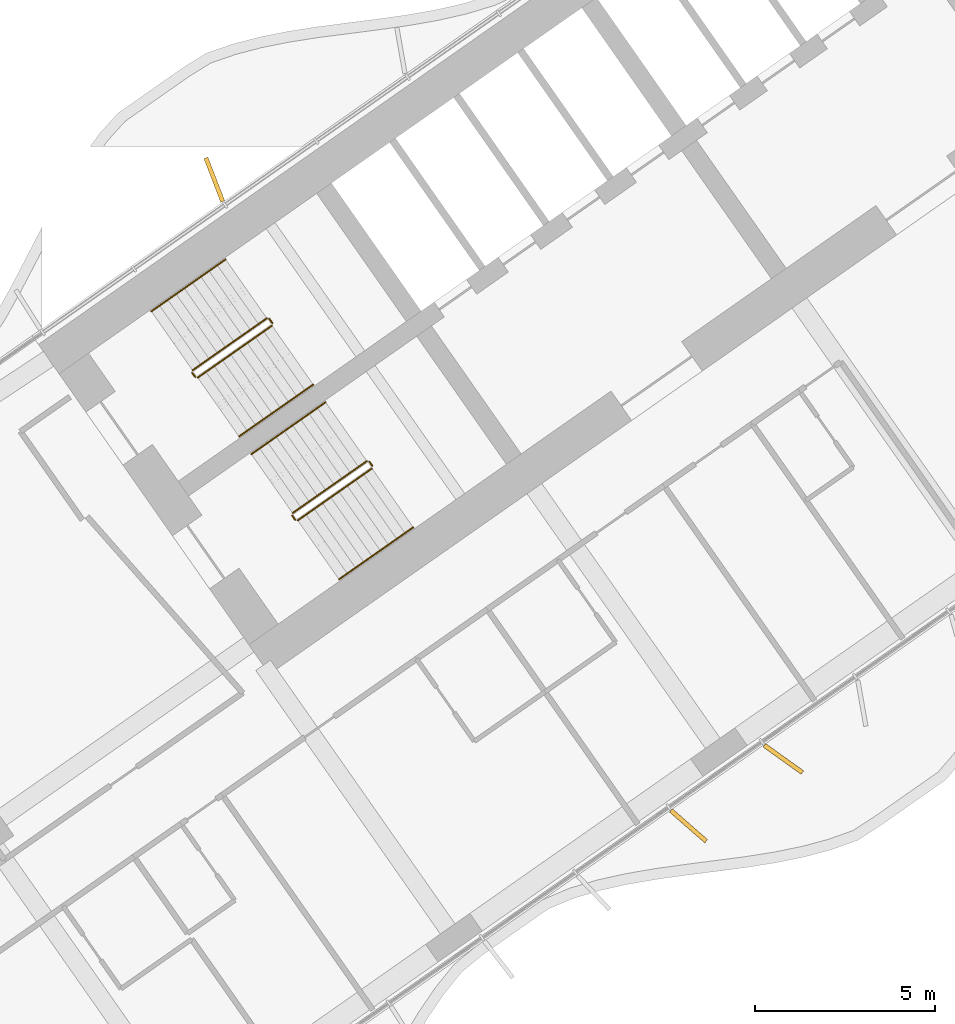
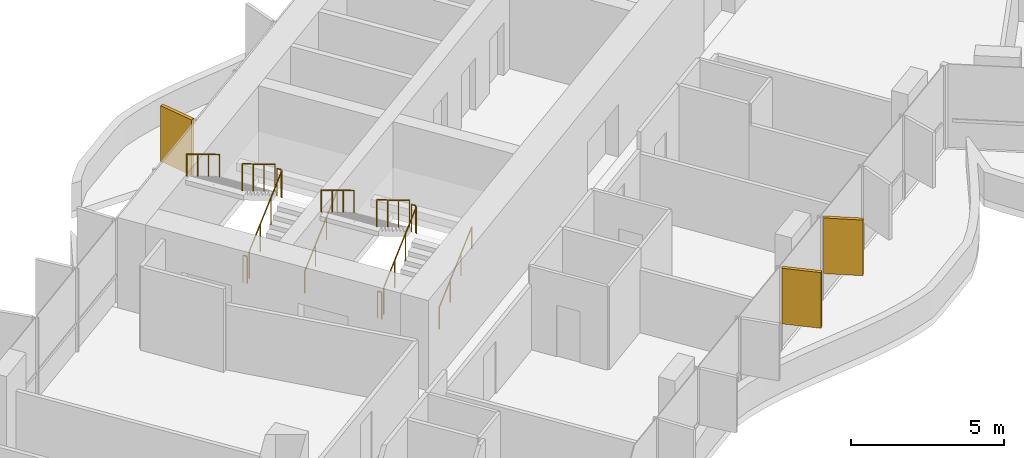
# One storey, part 20 of 25: 12 railings, 3 shading devices.
"""IFC4 building model written with IfcOpenShell, lengths in metres."""

from ifc_helpers import new_model, si_unit, direction, frame, origin, origin_2d, place, context, subcontext, project, spatial, rectangle, circle, extrude, material, layer, layer_set, type_object, element, save


model = new_model("IFC4")

# Units and contexts
model_context = context("Model", 3, precision=1e-05, world=origin(), true_north=direction((0.0, 1.0)))
body_context = subcontext(model_context, "Body", "Model", "MODEL_VIEW")
ifc_project = project(units=[si_unit("LENGTHUNIT", "METRE"), si_unit("AREAUNIT", "SQUARE_METRE"), si_unit("VOLUMEUNIT", "CUBIC_METRE"), si_unit("PLANEANGLEUNIT", "RADIAN"), si_unit("MASSUNIT", "GRAM", prefix="KILO")], contexts=[model_context])

# Site, building, storey
site_placement = place(None, origin())
site = spatial("IfcSite", under=ifc_project, at=site_placement, CompositionType="ELEMENT")
building_placement = place(site_placement, origin())
building = spatial("IfcBuilding", under=site, at=building_placement, Name="Tel Ilan Convention Tower", CompositionType="ELEMENT")
storey_placement = place(building_placement, frame((0.0, 0.0, 97.699951171875)))
storey = spatial("IfcBuildingStorey", under=building, at=storey_placement, Name="L20", CompositionType="ELEMENT", Elevation=97.699951171875)

# Shading devices
ifc_material_1 = material(Name="Aluminium, bronze anodised", Category="aluminium")
ifc_layer = layer(ifc_material_1, 0.1201171875)
ifc_layer_set = layer_set([ifc_layer], Name="FIN BRONZE 1300x120")
shading_device_type = type_object("IfcShadingDeviceType", Name="FIN BRONZE 1300x120", PredefinedType="USERDEFINED", material=ifc_layer_set)
for number, where, z_axis, x_axis, name in (
    (1, (-23.074462890625, -2.551513671875, 1.10009765625), (0.0, 0.0, 1.0), (-0.360177724803, 0.932883704733, 0.0), "FIN"),
    (2, (-9.882568359375, -20.525146484375, 1.10009765625), (0.0, 0.0, 1.0), (0.753435896329, -0.657521368568, 0.0), "FIN"),
    (3, (-7.2451171875, -18.663330078125, 1.10009765625), (0.0, 0.0, 1.0), (0.813552070258, -0.581492071294, 0.0), "FIN"),
):
    element("IfcShadingDevice", number, at=place(storey_placement, frame(where, z_axis=z_axis, x_axis=x_axis)), inside=storey, type_object=shading_device_type, Name=name, ObjectType="FIN", PredefinedType="USERDEFINED", context=body_context, shape_type="SweptSolid", body=[
        extrude(rectangle(XDim=1.300048828125, YDim=0.1201171875, at=origin_2d()), origin(), (0.0, 0.0, 1.0), 2.219970703125),
    ])

# Railings
ifc_material_2 = material(Name="Stainless Steel Grade 316", Category="steel")
railing_type_1 = type_object("IfcRailingType", Name="Stainless Steel Stair Guard 1100 mm", PredefinedType="GUARDRAIL", material=ifc_material_2)
railing_1_placement = place(storey_placement, frame((-23.535400390625, -8.056396484375, 0.179931640625)))
element("IfcRailing", 4, at=railing_1_placement, inside=storey, type_object=railing_type_1, Name="L20 S1 stair guard 1", PredefinedType="GUARDRAIL", context=body_context, shape_type="SweptSolid", body=[
    extrude(circle(Radius=0.02392578125, at=origin_2d()), frame((0.0, 0.0, 1.076171875), z_axis=(0.689013013563, 0.482512838948, 0.540779462804), x_axis=(-0.573624882958, 0.819118119475, 0.0)), (0.0, 0.0, 1.0), 2.995849609375),
    extrude(circle(Radius=0.02099609375, at=origin_2d()), origin(), (0.0, 0.0, 1.0), 1.052001953125),
    extrude(circle(Radius=0.02099609375, at=origin_2d()), frame((0.68798828125, 0.48193359375, 0.5400390625)), (0.0, 0.0, 1.0), 1.052001953125),
    extrude(circle(Radius=0.02099609375, at=origin_2d()), frame((1.376220703125, 0.963623046875, 1.080078125)), (0.0, 0.0, 1.0), 1.052001953125),
    extrude(circle(Radius=0.02099609375, at=origin_2d()), frame((2.064208984375, 1.445556640625, 1.6201171875)), (0.0, 0.0, 1.0), 1.052001953125),
])
railing_2_placement = place(storey_placement, frame((-21.458984375, -6.541259765625, 1.800048828125)))
element("IfcRailing", 5, at=railing_2_placement, inside=storey, type_object=railing_type_1, Name="L20 S1 stair guard 2", PredefinedType="GUARDRAIL", context=body_context, shape_type="SweptSolid", body=[
    extrude(circle(Radius=0.02392578125, at=origin_2d()), frame((0.0, 0.0, 1.076171875), z_axis=(-0.573353020881, 0.819308436089, 0.0), x_axis=(-0.819308436089, -0.573353020881, 0.0)), (0.0, 0.0, 1.0), 0.14990234375),
    extrude(circle(Radius=0.02099609375, at=origin_2d()), origin(), (0.0, 0.0, 1.0), 1.052001953125),
    extrude(circle(Radius=0.02099609375, at=origin_2d()), frame((-0.0859375, 0.122802734375, 0.0)), (0.0, 0.0, 1.0), 1.052001953125),
])
railing_3_placement = place(storey_placement, frame((-21.614501953125, -6.406005859375, 1.97998046875)))
element("IfcRailing", 6, at=railing_3_placement, inside=storey, type_object=railing_type_1, Name="L20 S1 stair guard 3", PredefinedType="GUARDRAIL", context=body_context, shape_type="SweptSolid", body=[
    extrude(circle(Radius=0.02392578125, at=origin_2d()), frame((0.0, 0.0, 1.076171875), z_axis=(-0.689013013563, -0.482512838948, 0.540779462804), x_axis=(0.573624882958, -0.819118119475, 0.0)), (0.0, 0.0, 1.0), 2.995849609375),
    extrude(circle(Radius=0.02099609375, at=origin_2d()), origin(), (0.0, 0.0, 1.0), 1.052001953125),
    extrude(circle(Radius=0.02099609375, at=origin_2d()), frame((-0.68798828125, -0.48193359375, 0.5400390625)), (0.0, 0.0, 1.0), 1.052001953125),
    extrude(circle(Radius=0.02099609375, at=origin_2d()), frame((-1.376220703125, -0.963623046875, 1.080078125)), (0.0, 0.0, 1.0), 1.052001953125),
    extrude(circle(Radius=0.02099609375, at=origin_2d()), frame((-2.064208984375, -1.445556640625, 1.6201171875)), (0.0, 0.0, 1.0), 1.052001953125),
])
railing_4_placement = place(storey_placement, frame((-23.60498046875, -8.0439453125, 0.0)))
element("IfcRailing", 7, at=railing_4_placement, inside=storey, type_object=railing_type_1, Name="L20 S1 stair guard 4", PredefinedType="GUARDRAIL", context=body_context, shape_type="SweptSolid", body=[
    extrude(circle(Radius=0.02392578125, at=origin_2d()), frame((0.0, 0.0, 1.076171875), z_axis=(-0.574444878118, 0.818543268254, 0.0), x_axis=(-0.818543268254, -0.574444878118, 0.0)), (0.0, 0.0, 1.0), 0.150146484375),
    extrude(circle(Radius=0.02099609375, at=origin_2d()), origin(), (0.0, 0.0, 1.0), 1.052001953125),
    extrude(circle(Radius=0.02099609375, at=origin_2d()), frame((-0.086181640625, 0.122802734375, 0.0)), (0.0, 0.0, 1.0), 1.052001953125),
])
railing_5_placement = place(storey_placement, frame((-20.753662109375, -12.029296875, 0.179931640625)))
element("IfcRailing", 8, at=railing_5_placement, inside=storey, type_object=railing_type_1, Name="L20 S2 stair guard 1", PredefinedType="GUARDRAIL", context=body_context, shape_type="SweptSolid", body=[
    extrude(circle(Radius=0.02392578125, at=origin_2d()), frame((0.0, 0.0, 1.076171875), z_axis=(0.689055814419, 0.482485747064, 0.540749099395), x_axis=(-0.573579365141, 0.81914999352, 0.0)), (0.0, 0.0, 1.0), 2.99609375),
    extrude(circle(Radius=0.02099609375, at=origin_2d()), origin(), (0.0, 0.0, 1.0), 1.052001953125),
    extrude(circle(Radius=0.02099609375, at=origin_2d()), frame((0.688232421875, 0.48193359375, 0.5400390625)), (0.0, 0.0, 1.0), 1.052001953125),
    extrude(circle(Radius=0.02099609375, at=origin_2d()), frame((1.376220703125, 0.963623046875, 1.080078125)), (0.0, 0.0, 1.0), 1.052001953125),
    extrude(circle(Radius=0.02099609375, at=origin_2d()), frame((2.064453125, 1.445556640625, 1.6201171875)), (0.0, 0.0, 1.0), 1.052001953125),
])
railing_6_placement = place(storey_placement, frame((-18.677001953125, -10.51416015625, 1.800048828125)))
element("IfcRailing", 9, at=railing_6_placement, inside=storey, type_object=railing_type_1, Name="L20 S2 stair guard 2", PredefinedType="GUARDRAIL", context=body_context, shape_type="SweptSolid", body=[
    extrude(circle(Radius=0.02392578125, at=origin_2d()), frame((0.0, 0.0, 1.076171875), z_axis=(-0.573353020881, 0.819308436089, 0.0), x_axis=(-0.819308436089, -0.573353020881, 0.0)), (0.0, 0.0, 1.0), 0.14990234375),
    extrude(circle(Radius=0.02099609375, at=origin_2d()), origin(), (0.0, 0.0, 1.0), 1.052001953125),
    extrude(circle(Radius=0.02099609375, at=origin_2d()), frame((-0.0859375, 0.122802734375, 0.0)), (0.0, 0.0, 1.0), 1.052001953125),
])
railing_7_placement = place(storey_placement, frame((-18.832763671875, -10.37890625, 1.97998046875)))
element("IfcRailing", 10, at=railing_7_placement, inside=storey, type_object=railing_type_1, Name="L20 S2 stair guard 3", PredefinedType="GUARDRAIL", context=body_context, shape_type="SweptSolid", body=[
    extrude(circle(Radius=0.02392578125, at=origin_2d()), frame((0.0, 0.0, 1.076171875), z_axis=(-0.689013013563, -0.482512838948, 0.540779462804), x_axis=(0.573624882958, -0.819118119475, 0.0)), (0.0, 0.0, 1.0), 2.995849609375),
    extrude(circle(Radius=0.02099609375, at=origin_2d()), origin(), (0.0, 0.0, 1.0), 1.052001953125),
    extrude(circle(Radius=0.02099609375, at=origin_2d()), frame((-0.68798828125, -0.48193359375, 0.5400390625)), (0.0, 0.0, 1.0), 1.052001953125),
    extrude(circle(Radius=0.02099609375, at=origin_2d()), frame((-1.376220703125, -0.963623046875, 1.080078125)), (0.0, 0.0, 1.0), 1.052001953125),
    extrude(circle(Radius=0.02099609375, at=origin_2d()), frame((-2.064208984375, -1.445556640625, 1.6201171875)), (0.0, 0.0, 1.0), 1.052001953125),
])
railing_8_placement = place(storey_placement, frame((-20.8232421875, -12.016845703125, 0.0)))
element("IfcRailing", 11, at=railing_8_placement, inside=storey, type_object=railing_type_1, Name="L20 S2 stair guard 4", PredefinedType="GUARDRAIL", context=body_context, shape_type="SweptSolid", body=[
    extrude(circle(Radius=0.02392578125, at=origin_2d()), frame((0.0, 0.0, 1.076171875), z_axis=(-0.573353020881, 0.819308436089, 0.0), x_axis=(-0.819308436089, -0.573353020881, 0.0)), (0.0, 0.0, 1.0), 0.14990234375),
    extrude(circle(Radius=0.02099609375, at=origin_2d()), origin(), (0.0, 0.0, 1.0), 1.052001953125),
    extrude(circle(Radius=0.02099609375, at=origin_2d()), frame((-0.0859375, 0.122802734375, 0.0)), (0.0, 0.0, 1.0), 1.052001953125),
])
ifc_material_3 = material(Name="Stainless Steel Grade 316", Category="steel")
railing_type_2 = type_object("IfcRailingType", Name="Stainless Steel Stair Handrail 900 mm", PredefinedType="HANDRAIL", material=ifc_material_3)
railing_9_placement = place(storey_placement, frame((-22.38818359375, -9.694580078125, 0.179931640625)))
element("IfcRailing", 12, at=railing_9_placement, inside=storey, type_object=railing_type_2, Name="L20 S1 stair handrail 1", PredefinedType="HANDRAIL", context=body_context, shape_type="SweptSolid", body=[
    extrude(circle(Radius=0.02392578125, at=origin_2d()), frame((0.0, 0.0, 0.8759765625), z_axis=(0.689040105437, 0.482450316285, 0.54080072616), x_axis=(-0.573559875649, 0.819163639968, 0.0)), (0.0, 0.0, 1.0), 2.995849609375),
    extrude(circle(Radius=0.02099609375, at=origin_2d()), origin(), (0.0, 0.0, 1.0), 0.851806640625),
    extrude(circle(Radius=0.02099609375, at=origin_2d()), frame((0.68798828125, 0.481689453125, 0.5400390625)), (0.0, 0.0, 1.0), 0.851806640625),
    extrude(circle(Radius=0.02099609375, at=origin_2d()), frame((1.376220703125, 0.963623046875, 1.080078125)), (0.0, 0.0, 1.0), 0.851806640625),
    extrude(circle(Radius=0.02099609375, at=origin_2d()), frame((2.064208984375, 1.4453125, 1.6201171875)), (0.0, 0.0, 1.0), 0.851806640625),
])
railing_10_placement = place(storey_placement, frame((-22.76171875, -4.767822265625, 1.97998046875)))
element("IfcRailing", 13, at=railing_10_placement, inside=storey, type_object=railing_type_2, Name="L20 S1 stair handrail 2", PredefinedType="HANDRAIL", context=body_context, shape_type="SweptSolid", body=[
    extrude(circle(Radius=0.02392578125, at=origin_2d()), frame((0.0, 0.0, 0.8759765625), z_axis=(-0.689040105437, -0.482450316285, 0.54080072616), x_axis=(0.573559875649, -0.819163639968, 0.0)), (0.0, 0.0, 1.0), 2.995849609375),
    extrude(circle(Radius=0.02099609375, at=origin_2d()), origin(), (0.0, 0.0, 1.0), 0.851806640625),
    extrude(circle(Radius=0.02099609375, at=origin_2d()), frame((-0.68798828125, -0.481689453125, 0.5400390625)), (0.0, 0.0, 1.0), 0.851806640625),
    extrude(circle(Radius=0.02099609375, at=origin_2d()), frame((-1.376220703125, -0.963623046875, 1.080078125)), (0.0, 0.0, 1.0), 0.851806640625),
    extrude(circle(Radius=0.02099609375, at=origin_2d()), frame((-2.064208984375, -1.4453125, 1.6201171875)), (0.0, 0.0, 1.0), 0.851806640625),
])
railing_11_placement = place(storey_placement, frame((-19.6064453125, -13.66748046875, 0.179931640625)))
element("IfcRailing", 14, at=railing_11_placement, inside=storey, type_object=railing_type_2, Name="L20 S2 stair handrail 1", PredefinedType="HANDRAIL", context=body_context, shape_type="SweptSolid", body=[
    extrude(circle(Radius=0.02392578125, at=origin_2d()), frame((0.0, 0.0, 0.8759765625), z_axis=(0.689040105437, 0.482450316285, 0.54080072616), x_axis=(-0.573559875649, 0.819163639968, 0.0)), (0.0, 0.0, 1.0), 2.995849609375),
    extrude(circle(Radius=0.02099609375, at=origin_2d()), origin(), (0.0, 0.0, 1.0), 0.851806640625),
    extrude(circle(Radius=0.02099609375, at=origin_2d()), frame((0.68798828125, 0.481689453125, 0.5400390625)), (0.0, 0.0, 1.0), 0.851806640625),
    extrude(circle(Radius=0.02099609375, at=origin_2d()), frame((1.376220703125, 0.963623046875, 1.080078125)), (0.0, 0.0, 1.0), 0.851806640625),
    extrude(circle(Radius=0.02099609375, at=origin_2d()), frame((2.064208984375, 1.4453125, 1.6201171875)), (0.0, 0.0, 1.0), 0.851806640625),
])
railing_12_placement = place(storey_placement, frame((-19.979736328125, -8.74072265625, 1.97998046875)))
element("IfcRailing", 15, at=railing_12_placement, inside=storey, type_object=railing_type_2, Name="L20 S2 stair handrail 2", PredefinedType="HANDRAIL", context=body_context, shape_type="SweptSolid", body=[
    extrude(circle(Radius=0.02392578125, at=origin_2d()), frame((0.0, 0.0, 0.8759765625), z_axis=(-0.689082904933, -0.482423225781, 0.540770359169), x_axis=(0.573514357932, -0.81919550856, 0.0)), (0.0, 0.0, 1.0), 2.995849609375),
    extrude(circle(Radius=0.02099609375, at=origin_2d()), origin(), (0.0, 0.0, 1.0), 0.851806640625),
    extrude(circle(Radius=0.02099609375, at=origin_2d()), frame((-0.688232421875, -0.481689453125, 0.5400390625)), (0.0, 0.0, 1.0), 0.851806640625),
    extrude(circle(Radius=0.02099609375, at=origin_2d()), frame((-1.376220703125, -0.963623046875, 1.080078125)), (0.0, 0.0, 1.0), 0.851806640625),
    extrude(circle(Radius=0.02099609375, at=origin_2d()), frame((-2.064453125, -1.4453125, 1.6201171875)), (0.0, 0.0, 1.0), 0.851806640625),
])

save(model, "model.ifc")
